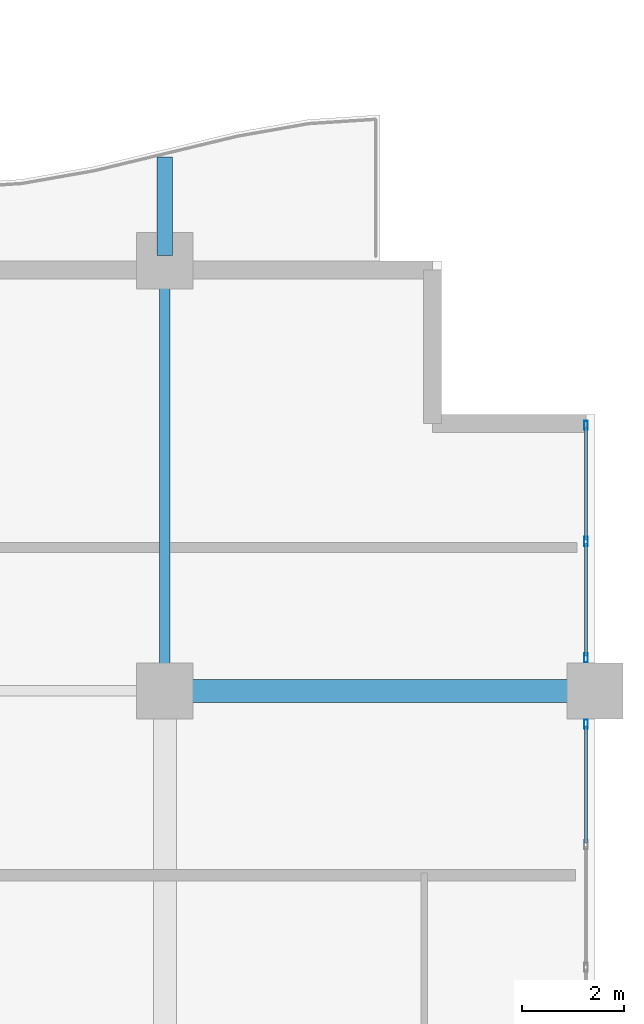
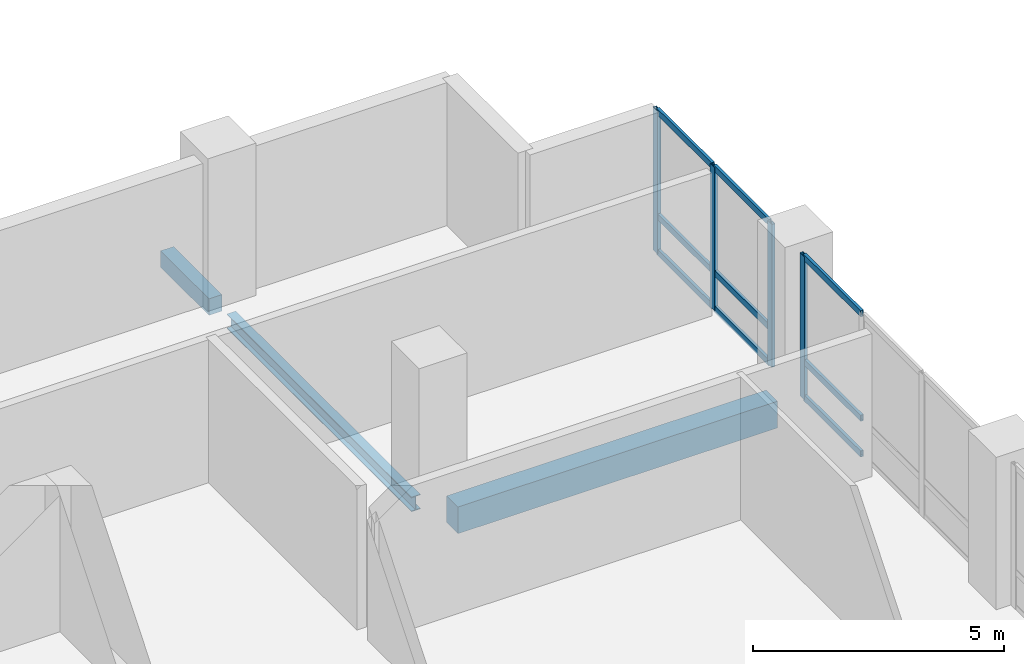
# One storey, part 7 of 21: 13 members, 3 beams, 2 elements without a shape of their own.
"""IFC4 building model written with IfcOpenShell, lengths in metres."""

from ifc_helpers import new_model, si_unit, direction, frame, origin, origin_2d, place, context, subcontext, project, spatial, rectangle, hollow_rectangle, i_section, extrude, material, layer, layer_set, material_profile, profile_set, type_object, element, aggregate, save


model = new_model("IFC4")

# Units and contexts
model_context = context("Model", 3, precision=1e-05, world=origin(), true_north=direction((0.0, 1.0)))
body_context = subcontext(model_context, "Body", "Model", "MODEL_VIEW")
ifc_project = project(units=[si_unit("LENGTHUNIT", "METRE"), si_unit("AREAUNIT", "SQUARE_METRE"), si_unit("VOLUMEUNIT", "CUBIC_METRE"), si_unit("PLANEANGLEUNIT", "RADIAN"), si_unit("MASSUNIT", "GRAM", prefix="KILO")], contexts=[model_context])

# Site, building, storey
site_placement = place(None, origin())
site = spatial("IfcSite", under=ifc_project, at=site_placement, CompositionType="ELEMENT")
building_placement = place(site_placement, origin())
building = spatial("IfcBuilding", under=site, at=building_placement, Name="Koriwani Terraces Tower", CompositionType="ELEMENT")
storey_placement = place(building_placement, frame((0.0, 0.0, 197.60009765625)))
storey = spatial("IfcBuildingStorey", under=building, at=storey_placement, Name="L48", CompositionType="ELEMENT", Elevation=197.60009765625)

# Beams
ifc_material_1 = material(Name="Concrete C40/50", Category="concrete")
ifc_material_profile_1 = material_profile(ifc_material_1, rectangle(XDim=0.300048828125, YDim=0.39990234375, at=origin_2d()), Name="Concrete C40/50", Category="LoadBearing")
ifc_profile_set_1 = profile_set([ifc_material_profile_1], Name="Concrete C40/50")
beam_type_1 = type_object("IfcBeamType", Name="BEAM_RC_BALCONY_RIB_300X400", PredefinedType="JOIST", material=ifc_profile_set_1)
beam_1_placement = place(storey_placement, frame((67.199951171875, 33.699951171875, -0.43017578125), z_axis=(0.0, 1.0, 0.0), x_axis=(-1.0, 0.0, 0.0)))
element("IfcBeam", 1, at=beam_1_placement, inside=storey, type_object=beam_type_1, Name="L48 Balcony Bracket Rib NE-4", PredefinedType="JOIST", context=body_context, shape_type="SweptSolid", body=[
    extrude(rectangle(XDim=0.300048828125, YDim=0.39990234375, at=origin_2d()), origin(), (0.0, 0.0, 1.0), 1.925048828125),
])
ifc_material_2 = material(Name="Concrete C50/60", Category="concrete")
ifc_material_profile_2 = material_profile(ifc_material_2, rectangle(XDim=0.449951171875, YDim=0.64990234375, at=origin_2d()), Name="Concrete C50/60", Category="LoadBearing")
ifc_profile_set_2 = profile_set([ifc_material_profile_2], Name="Concrete C50/60")
beam_type_2 = type_object("IfcBeamType", Name="BEAM_RC_GRID_450X650", PredefinedType="BEAM", material=ifc_profile_set_2)
beam_2_placement = place(storey_placement, frame((67.72998046875, 25.199951171875, -0.55517578125), z_axis=(1.0, 0.0, 0.0), x_axis=(0.0, 1.0, 0.0)))
element("IfcBeam", 2, at=beam_2_placement, inside=storey, type_object=beam_type_2, Name="L48 Grid Beam D (67.2-75.6m)", PredefinedType="BEAM", context=body_context, shape_type="SweptSolid", body=[
    extrude(rectangle(XDim=0.449951171875, YDim=0.64990234375, at=origin_2d()), origin(), (0.0, 0.0, 1.0), 7.340087890625),
])

# Curtain wall, members
ifc_material_3 = material(Name="Anodised Bronze Aluminium", Category="aluminium")
ifc_layer = layer(ifc_material_3, 0.169921875, Name="Anodised Bronze Aluminium")
ifc_layer_set = layer_set([ifc_layer], Name="Anodised Bronze Aluminium")
curtain_wall_type = type_object("IfcCurtainWallType", Name="CW_RES_ZONE3", PredefinedType="NOTDEFINED", material=ifc_layer_set)
curtain_wall_1_placement = place(storey_placement, origin())
curtain_wall_1 = element("IfcCurtainWall", 3, at=curtain_wall_1_placement, inside=storey, type_object=curtain_wall_type, Name="L48 Unitised Curtain Wall (E_TIP) Bay 1", PredefinedType="NOTDEFINED")
ifc_material_profile_3 = material_profile(ifc_material_3, hollow_rectangle(XDim=0.074951171875, YDim=0.179931640625, WallThickness=0.006103515625, at=origin_2d()), Name="Anodised Bronze Aluminium", Category="LoadBearing")
ifc_profile_set_3 = profile_set([ifc_material_profile_3], Name="Anodised Bronze Aluminium")
member_type_1 = type_object("IfcMemberType", Name="CW_MULLION_180X75", PredefinedType="MULLION", material=ifc_profile_set_3)
member_1_placement = place(storey_placement, frame((75.425048828125, 30.387451171875, 0.0), z_axis=(0.0, 0.0, 1.0), x_axis=(1.0, 0.0, 0.0)))
member_1 = element("IfcMember", 4, at=member_1_placement, type_object=member_type_1, Name="CW-Z3 mullion 1", PredefinedType="MULLION", context=body_context, shape_type="SweptSolid", body=[
    extrude(hollow_rectangle(XDim=0.074951171875, YDim=0.179931640625, WallThickness=0.006103515625, at=origin_2d()), origin(), (0.0, 0.0, 1.0), 3.469970703125),
])
member_2_placement = place(storey_placement, frame((75.425048828125, 28.117431640625, 0.0), z_axis=(0.0, 0.0, 1.0), x_axis=(1.0, 0.0, 0.0)))
member_2 = element("IfcMember", 5, at=member_2_placement, type_object=member_type_1, Name="CW-Z3 mullion 2", PredefinedType="MULLION", context=body_context, shape_type="SweptSolid", body=[
    extrude(hollow_rectangle(XDim=0.074951171875, YDim=0.179931640625, WallThickness=0.006103515625, at=origin_2d()), origin(), (0.0, 0.0, 1.0), 3.469970703125),
])
member_3_placement = place(storey_placement, frame((75.425048828125, 25.847412109375, 0.0), z_axis=(0.0, 0.0, 1.0), x_axis=(1.0, 0.0, 0.0)))
member_3 = element("IfcMember", 6, at=member_3_placement, type_object=member_type_1, Name="CW-Z3 mullion 3", PredefinedType="MULLION", context=body_context, shape_type="SweptSolid", body=[
    extrude(hollow_rectangle(XDim=0.074951171875, YDim=0.179931640625, WallThickness=0.006103515625, at=origin_2d()), origin(), (0.0, 0.0, 1.0), 3.469970703125),
])

# Curtain wall, member
curtain_wall_2_placement = place(storey_placement, origin())
curtain_wall_2 = element("IfcCurtainWall", 7, at=curtain_wall_2_placement, inside=storey, type_object=curtain_wall_type, Name="L48 Unitised Curtain Wall (E_TIP) Bay 2", PredefinedType="NOTDEFINED")
member_4_placement = place(storey_placement, frame((75.425048828125, 24.552490234375, 0.0), z_axis=(0.0, 0.0, 1.0), x_axis=(1.0, 0.0, 0.0)))
member_4 = element("IfcMember", 8, at=member_4_placement, type_object=member_type_1, Name="CW-Z3 mullion 1", PredefinedType="MULLION", context=body_context, shape_type="SweptSolid", body=[
    extrude(hollow_rectangle(XDim=0.074951171875, YDim=0.179931640625, WallThickness=0.006103515625, at=origin_2d()), origin(), (0.0, 0.0, 1.0), 3.469970703125),
])

# Member
ifc_material_profile_4 = material_profile(ifc_material_3, hollow_rectangle(XDim=0.06494140625, YDim=0.14990234375, WallThickness=0.0048828125, at=origin_2d()), Name="Anodised Bronze Aluminium", Category="LoadBearing")
ifc_profile_set_4 = profile_set([ifc_material_profile_4], Name="Anodised Bronze Aluminium")
member_type_2 = type_object("IfcMemberType", Name="CW_TRANSOM_150X65", PredefinedType="USERDEFINED", material=ifc_profile_set_4)
member_5_placement = place(storey_placement, frame((75.425048828125, 30.35009765625, 0.032470703125), z_axis=(0.0, -1.0, 0.0), x_axis=(1.0, 0.0, 0.0)))
member_5 = element("IfcMember", 9, at=member_5_placement, type_object=member_type_2, Name="CW-Z3 transom 1.1", ObjectType="TRANSOM", PredefinedType="USERDEFINED", context=body_context, shape_type="SweptSolid", body=[
    extrude(hollow_rectangle(XDim=0.06494140625, YDim=0.14990234375, WallThickness=0.0048828125, at=origin_2d()), origin(), (0.0, 0.0, 1.0), 2.195068359375),
])

member_6_placement = place(storey_placement, frame((75.425048828125, 30.35009765625, 0.89990234375), z_axis=(0.0, -1.0, 0.0), x_axis=(1.0, 0.0, 0.0)))
member_6 = element("IfcMember", 10, at=member_6_placement, type_object=member_type_2, Name="CW-Z3 transom 1.2", ObjectType="TRANSOM", PredefinedType="USERDEFINED", context=body_context, shape_type="SweptSolid", body=[
    extrude(hollow_rectangle(XDim=0.06494140625, YDim=0.14990234375, WallThickness=0.0048828125, at=origin_2d()), origin(), (0.0, 0.0, 1.0), 2.195068359375),
])

member_7_placement = place(storey_placement, frame((75.425048828125, 30.35009765625, 3.4375), z_axis=(0.0, -1.0, 0.0), x_axis=(1.0, 0.0, 0.0)))
member_7 = element("IfcMember", 11, at=member_7_placement, type_object=member_type_2, Name="CW-Z3 transom 1.3", ObjectType="TRANSOM", PredefinedType="USERDEFINED", context=body_context, shape_type="SweptSolid", body=[
    extrude(hollow_rectangle(XDim=0.06494140625, YDim=0.14990234375, WallThickness=0.0048828125, at=origin_2d()), origin(), (0.0, 0.0, 1.0), 2.195068359375),
])

member_8_placement = place(storey_placement, frame((75.425048828125, 28.080078125, 0.032470703125), z_axis=(0.0, -1.0, 0.0), x_axis=(1.0, 0.0, 0.0)))
member_8 = element("IfcMember", 12, at=member_8_placement, type_object=member_type_2, Name="CW-Z3 transom 2.1", ObjectType="TRANSOM", PredefinedType="USERDEFINED", context=body_context, shape_type="SweptSolid", body=[
    extrude(hollow_rectangle(XDim=0.06494140625, YDim=0.14990234375, WallThickness=0.0048828125, at=origin_2d()), origin(), (0.0, 0.0, 1.0), 2.195068359375),
])

member_9_placement = place(storey_placement, frame((75.425048828125, 28.080078125, 0.89990234375), z_axis=(0.0, -1.0, 0.0), x_axis=(1.0, 0.0, 0.0)))
member_9 = element("IfcMember", 13, at=member_9_placement, type_object=member_type_2, Name="CW-Z3 transom 2.2", ObjectType="TRANSOM", PredefinedType="USERDEFINED", context=body_context, shape_type="SweptSolid", body=[
    extrude(hollow_rectangle(XDim=0.06494140625, YDim=0.14990234375, WallThickness=0.0048828125, at=origin_2d()), origin(), (0.0, 0.0, 1.0), 2.195068359375),
])

member_10_placement = place(storey_placement, frame((75.425048828125, 28.080078125, 3.4375), z_axis=(0.0, -1.0, 0.0), x_axis=(1.0, 0.0, 0.0)))
member_10 = element("IfcMember", 14, at=member_10_placement, type_object=member_type_2, Name="CW-Z3 transom 2.3", ObjectType="TRANSOM", PredefinedType="USERDEFINED", context=body_context, shape_type="SweptSolid", body=[
    extrude(hollow_rectangle(XDim=0.06494140625, YDim=0.14990234375, WallThickness=0.0048828125, at=origin_2d()), origin(), (0.0, 0.0, 1.0), 2.195068359375),
])

aggregate(curtain_wall_1, [member_1, member_2, member_3, member_5, member_6, member_7, member_8, member_9, member_10])

member_11_placement = place(storey_placement, frame((75.425048828125, 24.514892578125, 0.032470703125), z_axis=(0.0, -1.0, 0.0), x_axis=(1.0, 0.0, 0.0)))
member_11 = element("IfcMember", 15, at=member_11_placement, type_object=member_type_2, Name="CW-Z3 transom 1.1", ObjectType="TRANSOM", PredefinedType="USERDEFINED", context=body_context, shape_type="SweptSolid", body=[
    extrude(hollow_rectangle(XDim=0.06494140625, YDim=0.14990234375, WallThickness=0.0048828125, at=origin_2d()), origin(), (0.0, 0.0, 1.0), 2.28076171875),
])

member_12_placement = place(storey_placement, frame((75.425048828125, 24.514892578125, 0.89990234375), z_axis=(0.0, -1.0, 0.0), x_axis=(1.0, 0.0, 0.0)))
member_12 = element("IfcMember", 16, at=member_12_placement, type_object=member_type_2, Name="CW-Z3 transom 1.2", ObjectType="TRANSOM", PredefinedType="USERDEFINED", context=body_context, shape_type="SweptSolid", body=[
    extrude(hollow_rectangle(XDim=0.06494140625, YDim=0.14990234375, WallThickness=0.0048828125, at=origin_2d()), origin(), (0.0, 0.0, 1.0), 2.28076171875),
])

member_13_placement = place(storey_placement, frame((75.425048828125, 24.514892578125, 3.4375), z_axis=(0.0, -1.0, 0.0), x_axis=(1.0, 0.0, 0.0)))
member_13 = element("IfcMember", 17, at=member_13_placement, type_object=member_type_2, Name="CW-Z3 transom 1.3", ObjectType="TRANSOM", PredefinedType="USERDEFINED", context=body_context, shape_type="SweptSolid", body=[
    extrude(hollow_rectangle(XDim=0.06494140625, YDim=0.14990234375, WallThickness=0.0048828125, at=origin_2d()), origin(), (0.0, 0.0, 1.0), 2.28076171875),
])

aggregate(curtain_wall_2, [member_4, member_11, member_12, member_13])

# Beam
ifc_material_4 = material(Name="Steel ASTM A572 Grade 50", Category="steel")
ifc_material_profile_5 = material_profile(ifc_material_4, i_section(OverallWidth=0.205078125, OverallDepth=0.35400390625, WebThickness=0.009521484375, FlangeThickness=0.016845703125, at=origin_2d()), Name="Steel ASTM A572 Grade 50", Category="LoadBearing")
ifc_profile_set_5 = profile_set([ifc_material_profile_5], Name="Steel ASTM A572 Grade 50")
beam_type_3 = type_object("IfcBeamType", Name="STEEL_BEAM_W360X79", PredefinedType="JOIST", material=ifc_profile_set_5)
beam_3_placement = place(storey_placement, frame((67.199951171875, 25.72998046875, -0.406982421875), z_axis=(0.0, 1.0, 0.0), x_axis=(-1.0, 0.0, 0.0)))
element("IfcBeam", 18, at=beam_3_placement, inside=storey, type_object=beam_type_3, Name="L48 Grid Beam 9 (25.2-33.6m)", PredefinedType="JOIST", context=body_context, shape_type="SweptSolid", body=[
    extrude(i_section(OverallWidth=0.205078125, OverallDepth=0.35400390625, WebThickness=0.009521484375, FlangeThickness=0.016845703125, at=origin_2d()), origin(), (0.0, 0.0, 1.0), 7.340087890625),
])

save(model, "model.ifc")
